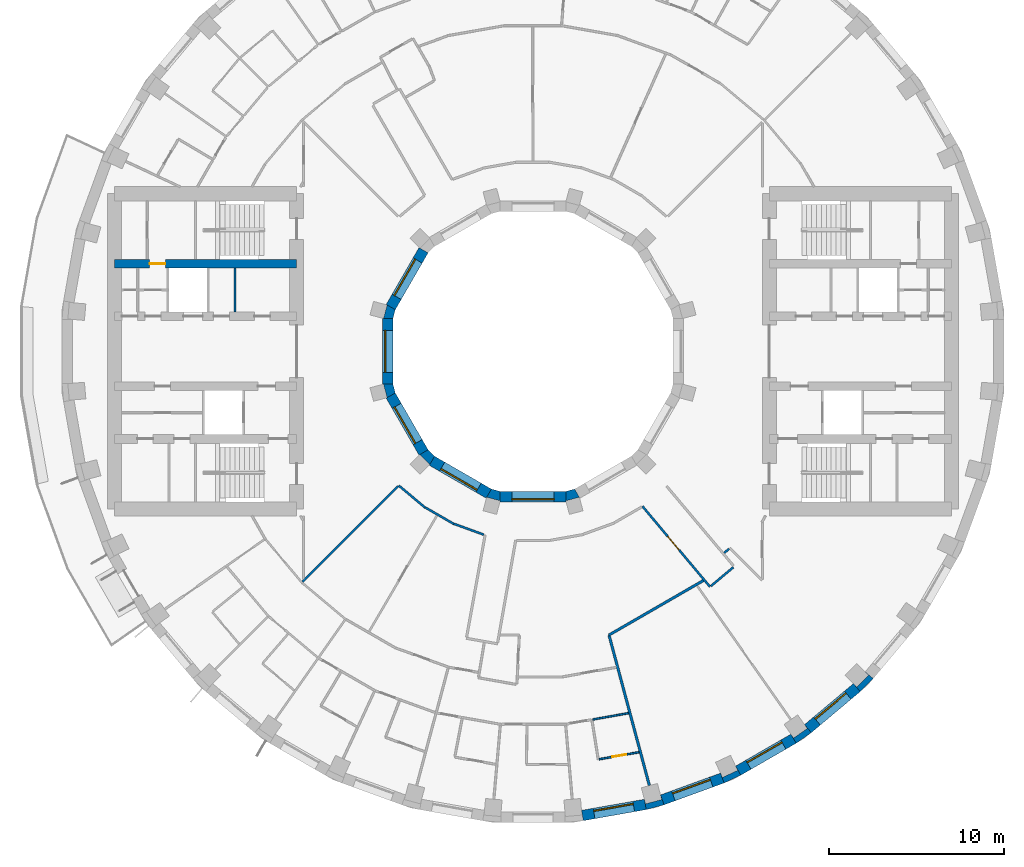
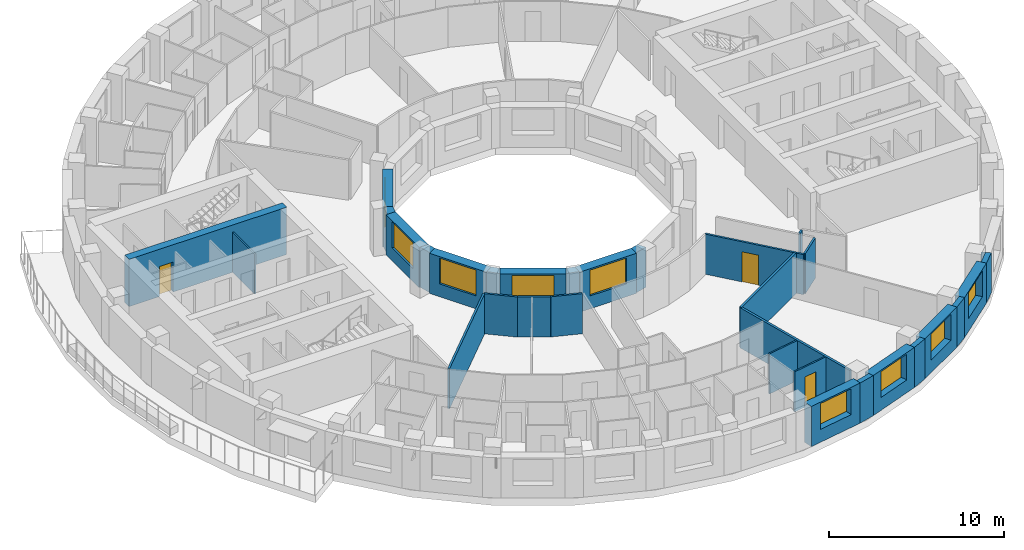
# One storey, part 5 of 13: 31 walls, 9 windows, 3 doors, 12 openings.
"""IFC4 building model written with IfcOpenShell, lengths in metres."""

from ifc_helpers import new_model, si_unit, direction, frame, frame_2d, origin, place, context, subcontext, project, spatial, polyline, rectangle, outline, extrude, material, layer, layer_set, type_object, element, fill, save


model = new_model("IFC4")

# Units and contexts
model_context = context("Model", 3, precision=1e-05, world=origin(), true_north=direction((0.0, 1.0)))
body_context = subcontext(model_context, "Body", "Model", "MODEL_VIEW")
ifc_project = project(units=[si_unit("LENGTHUNIT", "METRE"), si_unit("AREAUNIT", "SQUARE_METRE"), si_unit("VOLUMEUNIT", "CUBIC_METRE"), si_unit("PLANEANGLEUNIT", "RADIAN"), si_unit("MASSUNIT", "GRAM", prefix="KILO")], contexts=[model_context])

# Site, building, storey
site_placement = place(None, origin())
site = spatial("IfcSite", under=ifc_project, at=site_placement, CompositionType="ELEMENT")
building_placement = place(site_placement, origin())
building = spatial("IfcBuilding", under=site, at=building_placement, Name="Saqina Gate Tower", CompositionType="ELEMENT")
storey_placement = place(building_placement, frame((0.0, 0.0, 118.300048828125)))
storey = spatial("IfcBuildingStorey", under=building, at=storey_placement, Name="L33", CompositionType="ELEMENT", Elevation=118.300048828125)

# Walls
ifc_material_1 = material(Name="Brick masonry (buff)", Category="masonry")
wall_type_1 = type_object("IfcWallType", Name="BRICK PIER COPING BUFF", PredefinedType="SOLIDWALL", material=ifc_material_1)
wall_1_placement = place(storey_placement, origin())
element("IfcWall", 1, at=wall_1_placement, inside=storey, type_object=wall_type_1, Name="Pier cap L33 column 29", PredefinedType="SOLIDWALL", context=body_context, shape_type="SweptSolid", body=[
    extrude(outline(polyline([(6.466796875, -26.171875), (7.485595703125, -25.89892578125), (7.2802734375, -25.335205078125), (7.349853515625, -25.5947265625), (6.43212890625, -25.8408203125), (6.36279296875, -25.5810546875), (6.466796875, -26.171875)])), origin(), (0.0, 0.0, 1.0), 2.800048828125),
])
wall_2_placement = place(storey_placement, origin())
element("IfcWall", 2, at=wall_2_placement, inside=storey, type_object=wall_type_1, Name="Pier cap L33 column 30", PredefinedType="SOLIDWALL", context=body_context, shape_type="SweptSolid", body=[
    extrude(outline(polyline([(10.913330078125, -24.6513671875), (11.869140625, -24.205810546875), (11.569091796875, -23.68603515625), (11.6826171875, -23.9296875), (10.82177734375, -24.331298828125), (10.7080078125, -24.08740234375), (10.913330078125, -24.6513671875)])), origin(), (0.0, 0.0, 1.0), 2.800048828125),
])
wall_3_placement = place(storey_placement, origin())
element("IfcWall", 3, at=wall_3_placement, inside=storey, type_object=wall_type_1, Name="Pier cap L33 column 31", PredefinedType="SOLIDWALL", context=body_context, shape_type="SweptSolid", body=[
    extrude(outline(polyline([(15.89208984375, -21.77685546875), (15.50634765625, -21.317138671875), (15.66064453125, -21.53759765625), (14.88232421875, -22.08251953125), (14.728271484375, -21.862060546875), (15.0283203125, -22.3818359375), (15.89208984375, -21.77685546875)])), origin(), (0.0, 0.0, 1.0), 2.800048828125),
])
wall_4_placement = place(storey_placement, origin())
element("IfcWall", 4, at=wall_4_placement, inside=storey, type_object=wall_type_1, Name="Pier cap L33 column 32", PredefinedType="SOLIDWALL", context=body_context, shape_type="SweptSolid", body=[
    extrude(outline(polyline([(18.686279296875, -19.43212890625), (19.43212890625, -18.686279296875), (18.972412109375, -18.30078125), (19.16259765625, -18.49072265625), (18.49072265625, -19.16259765625), (18.30078125, -18.972412109375), (18.686279296875, -19.43212890625)])), origin(), (0.0, 0.0, 1.0), 2.800048828125),
])
ifc_material_2 = material(Name="Gypsum board on steel studs", Category="steel")
ifc_layer_1 = layer(ifc_material_2, 0.10009765625)
ifc_layer_set_1 = layer_set([ifc_layer_1], Name="CORE PARTITION")
wall_type_2 = type_object("IfcWallType", Name="CORE PARTITION", PredefinedType="PARTITIONING", material=ifc_layer_set_1)
wall_5_placement = place(storey_placement, frame((-17.022216796875, 2.25, 0.0), z_axis=(0.0, 0.0, 1.0), x_axis=(0.0, 1.0, 0.0)))
element("IfcWall", 5, at=wall_5_placement, inside=storey, type_object=wall_type_2, Name="L33-CP-W01", PredefinedType="PARTITIONING", context=body_context, shape_type="SweptSolid", body=[
    extrude(rectangle(XDim=2.5, YDim=0.10009765625, at=frame_2d((1.25, 0.0))), origin(), (0.0, 0.0, 1.0), 2.800048828125),
])

# Wall, opening, window
ifc_material_3 = material(Name="Brick masonry (buff)", Category="masonry")
ifc_layer_2 = layer(ifc_material_3, 0.60009765625)
ifc_layer_set_2 = layer_set([ifc_layer_2], Name="FW-BRICK-BUFF")
wall_type_3 = type_object("IfcWallType", Name="FW-BRICK-BUFF", PredefinedType="SOLIDWALL", material=ifc_layer_set_2)
wall_6_placement = place(storey_placement, frame((2.822265625, -26.510009765625, 0.0), z_axis=(0.0, 0.0, 1.0), x_axis=(0.984803764455, 0.173670796382, 0.0)))
wall_6 = element("IfcWall", 6, at=wall_6_placement, inside=storey, type_object=wall_type_3, Name="Facade wall L33 facet 28", PredefinedType="SOLIDWALL", context=body_context, shape_type="SweptSolid", body=[
    extrude(rectangle(XDim=3.64794921875, YDim=0.60009765625, at=frame_2d((1.823974609375, 0.0))), origin(), (0.0, 0.0, 1.0), 2.800048828125),
])
opening_1_placement = place(wall_6_placement, frame((0.673828125, 0.0, 0.89990234375)))
opening_1 = element("IfcOpeningElement", 7, at=opening_1_placement, cuts=wall_6, Name="Opening G09-W20", PredefinedType="OPENING", context=body_context, shape_type="SweptSolid", body=[
    extrude(rectangle(XDim=2.300048828125, YDim=1.800048828125, at=frame_2d((1.14990234375, 0.89990234375))), frame((0.0, 0.31201171875, 0.0), z_axis=(0.0, -1.0, 0.0), x_axis=(1.0, 0.0, 0.0)), (0.0, 0.0, 1.0), 0.6240234375),
])
ifc_material_4 = material(Name="Aluminium glazing", Category="aluminium")
window_type_1 = type_object("IfcWindowType", Name="WN-B", PartitioningType="SINGLE_PANEL", PredefinedType="WINDOW", material=ifc_material_4)
window_1_placement = place(opening_1_placement, origin())
window_1 = element("IfcWindow", 8, at=window_1_placement, inside=storey, type_object=window_type_1, Name="Window L33 facet 28", OverallHeight=1.800048828125, OverallWidth=2.300048828125, PartitioningType="SINGLE_PANEL", PredefinedType="WINDOW", context=body_context, shape_type="SweptSolid", body=[
    extrude(rectangle(XDim=2.300048828125, YDim=1.800048828125, at=frame_2d((1.14990234375, 0.89990234375))), frame((0.0, 0.179931640625, 0.0), z_axis=(0.0, -1.0, 0.0), x_axis=(1.0, 0.0, 0.0)), (0.0, 0.0, 1.0), 0.06005859375),
])
fill(opening_1, window_1)

wall_7_placement = place(storey_placement, frame((7.3828125, -25.616943359375, 0.0), z_axis=(0.0, 0.0, 1.0), x_axis=(0.939703505393, 0.341990236633, 0.0)))
wall_7 = element("IfcWall", 9, at=wall_7_placement, inside=storey, type_object=wall_type_3, Name="Facade wall L33 facet 29", PredefinedType="SOLIDWALL", context=body_context, shape_type="SweptSolid", body=[
    extrude(rectangle(XDim=3.64794921875, YDim=0.60009765625, at=frame_2d((1.823974609375, 0.0))), origin(), (0.0, 0.0, 1.0), 2.800048828125),
])
opening_2_placement = place(wall_7_placement, frame((0.673828125, 0.0, 0.89990234375)))
opening_2 = element("IfcOpeningElement", 10, at=opening_2_placement, cuts=wall_7, Name="Opening G09-W21", PredefinedType="OPENING", context=body_context, shape_type="SweptSolid", body=[
    extrude(rectangle(XDim=2.300048828125, YDim=1.800048828125, at=frame_2d((1.14990234375, 0.89990234375))), frame((0.0, 0.31201171875, 0.0), z_axis=(0.0, -1.0, 0.0), x_axis=(1.0, 0.0, 0.0)), (0.0, 0.0, 1.0), 0.6240234375),
])
window_2_placement = place(opening_2_placement, origin())
window_2 = element("IfcWindow", 11, at=window_2_placement, inside=storey, type_object=window_type_1, Name="Window L33 facet 29", OverallHeight=1.800048828125, OverallWidth=2.300048828125, PartitioningType="SINGLE_PANEL", PredefinedType="WINDOW", context=body_context, shape_type="SweptSolid", body=[
    extrude(rectangle(XDim=2.300048828125, YDim=1.800048828125, at=frame_2d((1.14990234375, 0.89990234375))), frame((0.0, 0.179931640625, 0.0), z_axis=(0.0, -1.0, 0.0), x_axis=(1.0, 0.0, 0.0)), (0.0, 0.0, 1.0), 0.06005859375),
])
fill(opening_2, window_2)

wall_8_placement = place(storey_placement, frame((11.718994140625, -23.94580078125, 0.0), z_axis=(0.0, 0.0, 1.0), x_axis=(0.866051847062, 0.499954196102, 0.0)))
wall_8 = element("IfcWall", 12, at=wall_8_placement, inside=storey, type_object=wall_type_3, Name="Facade wall L33 facet 30", PredefinedType="SOLIDWALL", context=body_context, shape_type="SweptSolid", body=[
    extrude(rectangle(XDim=3.647705078125, YDim=0.60009765625, at=frame_2d((1.82373046875, 0.0))), origin(), (0.0, 0.0, 1.0), 2.800048828125),
])
opening_3_placement = place(wall_8_placement, frame((0.673828125, 0.0, 0.89990234375)))
opening_3 = element("IfcOpeningElement", 13, at=opening_3_placement, cuts=wall_8, Name="Opening G09-W22", PredefinedType="OPENING", context=body_context, shape_type="SweptSolid", body=[
    extrude(rectangle(XDim=2.300048828125, YDim=1.800048828125, at=frame_2d((1.14990234375, 0.89990234375))), frame((0.0, 0.31201171875, 0.0), z_axis=(0.0, -1.0, 0.0), x_axis=(1.0, 0.0, 0.0)), (0.0, 0.0, 1.0), 0.6240234375),
])
window_3_placement = place(opening_3_placement, origin())
window_3 = element("IfcWindow", 14, at=window_3_placement, inside=storey, type_object=window_type_1, Name="Window L33 facet 30", OverallHeight=1.800048828125, OverallWidth=2.300048828125, PartitioningType="SINGLE_PANEL", PredefinedType="WINDOW", context=body_context, shape_type="SweptSolid", body=[
    extrude(rectangle(XDim=2.300048828125, YDim=1.800048828125, at=frame_2d((1.14990234375, 0.89990234375))), frame((0.0, 0.179931640625, 0.0), z_axis=(0.0, -1.0, 0.0), x_axis=(1.0, 0.0, 0.0)), (0.0, 0.0, 1.0), 0.06005859375),
])
fill(opening_3, window_3)

wall_9_placement = place(storey_placement, frame((15.69921875, -21.547119140625, 0.0), z_axis=(0.0, 0.0, 1.0), x_axis=(0.766055462616, 0.642774476932, 0.0)))
wall_9 = element("IfcWall", 15, at=wall_9_placement, inside=storey, type_object=wall_type_3, Name="Facade wall L33 facet 31", PredefinedType="SOLIDWALL", context=body_context, shape_type="SweptSolid", body=[
    extrude(rectangle(XDim=3.647705078125, YDim=0.60009765625, at=frame_2d((1.82373046875, 0.0))), origin(), (0.0, 0.0, 1.0), 2.800048828125),
])
opening_4_placement = place(wall_9_placement, frame((0.673828125, 0.0, 0.89990234375)))
opening_4 = element("IfcOpeningElement", 16, at=opening_4_placement, cuts=wall_9, Name="Opening G09-W23", PredefinedType="OPENING", context=body_context, shape_type="SweptSolid", body=[
    extrude(rectangle(XDim=2.300048828125, YDim=1.800048828125, at=frame_2d((1.14990234375, 0.89990234375))), frame((0.0, 0.31201171875, 0.0), z_axis=(0.0, -1.0, 0.0), x_axis=(1.0, 0.0, 0.0)), (0.0, 0.0, 1.0), 0.6240234375),
])
window_4_placement = place(opening_4_placement, origin())
window_4 = element("IfcWindow", 17, at=window_4_placement, inside=storey, type_object=window_type_1, Name="Window L33 facet 31", OverallHeight=1.800048828125, OverallWidth=2.300048828125, PartitioningType="SINGLE_PANEL", PredefinedType="WINDOW", context=body_context, shape_type="SweptSolid", body=[
    extrude(rectangle(XDim=2.300048828125, YDim=1.800048828125, at=frame_2d((1.14990234375, 0.89990234375))), frame((0.0, 0.179931640625, 0.0), z_axis=(0.0, -1.0, 0.0), x_axis=(1.0, 0.0, 0.0)), (0.0, 0.0, 1.0), 0.06005859375),
])
fill(opening_4, window_4)

ifc_material_5 = material(Name="Glazed ceramic tile", Category="ceramic")
ifc_layer_3 = layer(ifc_material_5, 0.60009765625)
ifc_layer_set_3 = layer_set([ifc_layer_3], Name="IW-TILE")
wall_type_4 = type_object("IfcWallType", Name="IW-TILE", PredefinedType="SOLIDWALL", material=ifc_layer_set_3)
wall_10_placement = place(storey_placement, frame((-6.251220703125, 5.772705078125, 0.0), z_axis=(0.0, 0.0, 1.0), x_axis=(-0.499964958637, -0.86604563398, 0.0)))
wall_10 = element("IfcWall", 18, at=wall_10_placement, inside=storey, type_object=wall_type_4, Name="Well wall L33 facet 5", PredefinedType="SOLIDWALL", context=body_context, shape_type="SweptSolid", body=[
    extrude(rectangle(XDim=3.747314453125, YDim=0.60009765625, at=frame_2d((1.87353515625, 0.0))), origin(), (0.0, 0.0, 1.0), 2.800048828125),
])
opening_5_placement = place(wall_10_placement, frame((0.673583984375, 0.0, 0.89990234375)))
opening_5 = element("IfcOpeningElement", 19, at=opening_5_placement, cuts=wall_10, Name="Opening G09-W30", PredefinedType="OPENING", context=body_context, shape_type="SweptSolid", body=[
    extrude(rectangle(XDim=2.39990234375, YDim=1.800048828125, at=frame_2d((1.199951171875, 0.89990234375))), frame((0.0, 0.31201171875, 0.0), z_axis=(0.0, -1.0, 0.0), x_axis=(1.0, 0.0, 0.0)), (0.0, 0.0, 1.0), 0.6240234375),
])
ifc_material_6 = material(Name="Aluminium glazing", Category="aluminium")
window_type_2 = type_object("IfcWindowType", Name="WN-W", PartitioningType="SINGLE_PANEL", PredefinedType="WINDOW", material=ifc_material_6)
window_5_placement = place(opening_5_placement, origin())
window_5 = element("IfcWindow", 20, at=window_5_placement, inside=storey, type_object=window_type_2, Name="Well window L33 facet 5", OverallHeight=1.800048828125, OverallWidth=2.39990234375, PartitioningType="SINGLE_PANEL", PredefinedType="WINDOW", context=body_context, shape_type="SweptSolid", body=[
    extrude(rectangle(XDim=2.39990234375, YDim=1.800048828125, at=frame_2d((1.199951171875, 0.89990234375))), frame((0.0, -0.119873046875, 0.0), z_axis=(0.0, -1.0, 0.0), x_axis=(1.0, 0.0, 0.0)), (0.0, 0.0, 1.0), 0.06005859375),
])
fill(opening_5, window_5)

wall_11_placement = place(storey_placement, frame((-8.300048828125, 1.873779296875, 0.0), z_axis=(0.0, 0.0, 1.0), x_axis=(0.0, -1.0, 0.0)))
wall_11 = element("IfcWall", 21, at=wall_11_placement, inside=storey, type_object=wall_type_4, Name="Well wall L33 facet 6", PredefinedType="SOLIDWALL", context=body_context, shape_type="SweptSolid", body=[
    extrude(rectangle(XDim=3.74755859375, YDim=0.60009765625, at=frame_2d((1.873779296875, 0.0))), origin(), (0.0, 0.0, 1.0), 2.800048828125),
])
opening_6_placement = place(wall_11_placement, frame((0.673583984375, 0.0, 0.89990234375)))
opening_6 = element("IfcOpeningElement", 22, at=opening_6_placement, cuts=wall_11, Name="Opening G09-W31", PredefinedType="OPENING", context=body_context, shape_type="SweptSolid", body=[
    extrude(rectangle(XDim=2.39990234375, YDim=1.800048828125, at=frame_2d((1.199951171875, 0.89990234375))), frame((0.0, 0.31201171875, 0.0), z_axis=(0.0, -1.0, 0.0), x_axis=(1.0, 0.0, 0.0)), (0.0, 0.0, 1.0), 0.6240234375),
])
window_6_placement = place(opening_6_placement, origin())
window_6 = element("IfcWindow", 23, at=window_6_placement, inside=storey, type_object=window_type_2, Name="Well window L33 facet 6", OverallHeight=1.800048828125, OverallWidth=2.39990234375, PartitioningType="SINGLE_PANEL", PredefinedType="WINDOW", context=body_context, shape_type="SweptSolid", body=[
    extrude(rectangle(XDim=2.39990234375, YDim=1.800048828125, at=frame_2d((1.199951171875, 0.89990234375))), frame((0.0, -0.119873046875, 0.0), z_axis=(0.0, -1.0, 0.0), x_axis=(1.0, 0.0, 0.0)), (0.0, 0.0, 1.0), 0.06005859375),
])
fill(opening_6, window_6)

wall_12_placement = place(storey_placement, frame((-8.124755859375, -2.52734375, 0.0), z_axis=(0.0, 0.0, 1.0), x_axis=(0.499964958637, -0.86604563398, 0.0)))
wall_12 = element("IfcWall", 24, at=wall_12_placement, inside=storey, type_object=wall_type_4, Name="Well wall L33 facet 7", PredefinedType="SOLIDWALL", context=body_context, shape_type="SweptSolid", body=[
    extrude(rectangle(XDim=3.747314453125, YDim=0.60009765625, at=frame_2d((1.87353515625, 0.0))), origin(), (0.0, 0.0, 1.0), 2.800048828125),
])
opening_7_placement = place(wall_12_placement, frame((0.673583984375, 0.0, 0.89990234375)))
opening_7 = element("IfcOpeningElement", 25, at=opening_7_placement, cuts=wall_12, Name="Opening G09-W32", PredefinedType="OPENING", context=body_context, shape_type="SweptSolid", body=[
    extrude(rectangle(XDim=2.39990234375, YDim=1.800048828125, at=frame_2d((1.199951171875, 0.89990234375))), frame((0.0, 0.31201171875, 0.0), z_axis=(0.0, -1.0, 0.0), x_axis=(1.0, 0.0, 0.0)), (0.0, 0.0, 1.0), 0.6240234375),
])
window_7_placement = place(opening_7_placement, origin())
window_7 = element("IfcWindow", 26, at=window_7_placement, inside=storey, type_object=window_type_2, Name="Well window L33 facet 7", OverallHeight=1.800048828125, OverallWidth=2.39990234375, PartitioningType="SINGLE_PANEL", PredefinedType="WINDOW", context=body_context, shape_type="SweptSolid", body=[
    extrude(rectangle(XDim=2.39990234375, YDim=1.800048828125, at=frame_2d((1.199951171875, 0.89990234375))), frame((0.0, -0.119873046875, 0.0), z_axis=(0.0, -1.0, 0.0), x_axis=(1.0, 0.0, 0.0)), (0.0, 0.0, 1.0), 0.06005859375),
])
fill(opening_7, window_7)

wall_13_placement = place(storey_placement, frame((-5.772705078125, -6.251220703125, 0.0), z_axis=(0.0, 0.0, 1.0), x_axis=(0.86604563398, -0.499964958637, 0.0)))
wall_13 = element("IfcWall", 27, at=wall_13_placement, inside=storey, type_object=wall_type_4, Name="Well wall L33 facet 8", PredefinedType="SOLIDWALL", context=body_context, shape_type="SweptSolid", body=[
    extrude(rectangle(XDim=3.747314453125, YDim=0.60009765625, at=frame_2d((1.87353515625, 0.0))), origin(), (0.0, 0.0, 1.0), 2.800048828125),
])
opening_8_placement = place(wall_13_placement, frame((0.673583984375, 0.0, 0.89990234375)))
opening_8 = element("IfcOpeningElement", 28, at=opening_8_placement, cuts=wall_13, Name="Opening G09-W33", PredefinedType="OPENING", context=body_context, shape_type="SweptSolid", body=[
    extrude(rectangle(XDim=2.39990234375, YDim=1.800048828125, at=frame_2d((1.199951171875, 0.89990234375))), frame((0.0, 0.31201171875, 0.0), z_axis=(0.0, -1.0, 0.0), x_axis=(1.0, 0.0, 0.0)), (0.0, 0.0, 1.0), 0.6240234375),
])
window_8_placement = place(opening_8_placement, origin())
window_8 = element("IfcWindow", 29, at=window_8_placement, inside=storey, type_object=window_type_2, Name="Well window L33 facet 8", OverallHeight=1.800048828125, OverallWidth=2.39990234375, PartitioningType="SINGLE_PANEL", PredefinedType="WINDOW", context=body_context, shape_type="SweptSolid", body=[
    extrude(rectangle(XDim=2.39990234375, YDim=1.800048828125, at=frame_2d((1.199951171875, 0.89990234375))), frame((0.0, -0.119873046875, 0.0), z_axis=(0.0, -1.0, 0.0), x_axis=(1.0, 0.0, 0.0)), (0.0, 0.0, 1.0), 0.06005859375),
])
fill(opening_8, window_8)

wall_14_placement = place(storey_placement, frame((-1.873779296875, -8.300048828125, 0.0), z_axis=(0.0, 0.0, 1.0), x_axis=(1.0, 0.0, 0.0)))
wall_14 = element("IfcWall", 30, at=wall_14_placement, inside=storey, type_object=wall_type_4, Name="Well wall L33 facet 9", PredefinedType="SOLIDWALL", context=body_context, shape_type="SweptSolid", body=[
    extrude(rectangle(XDim=3.74755859375, YDim=0.60009765625, at=frame_2d((1.873779296875, 0.0))), origin(), (0.0, 0.0, 1.0), 2.800048828125),
])
opening_9_placement = place(wall_14_placement, frame((0.673583984375, 0.0, 0.89990234375)))
opening_9 = element("IfcOpeningElement", 31, at=opening_9_placement, cuts=wall_14, Name="Opening G09-W34", PredefinedType="OPENING", context=body_context, shape_type="SweptSolid", body=[
    extrude(rectangle(XDim=2.39990234375, YDim=1.800048828125, at=frame_2d((1.199951171875, 0.89990234375))), frame((0.0, 0.31201171875, 0.0), z_axis=(0.0, -1.0, 0.0), x_axis=(1.0, 0.0, 0.0)), (0.0, 0.0, 1.0), 0.6240234375),
])
window_9_placement = place(opening_9_placement, origin())
window_9 = element("IfcWindow", 32, at=window_9_placement, inside=storey, type_object=window_type_2, Name="Well window L33 facet 9", OverallHeight=1.800048828125, OverallWidth=2.39990234375, PartitioningType="SINGLE_PANEL", PredefinedType="WINDOW", context=body_context, shape_type="SweptSolid", body=[
    extrude(rectangle(XDim=2.39990234375, YDim=1.800048828125, at=frame_2d((1.199951171875, 0.89990234375))), frame((0.0, -0.119873046875, 0.0), z_axis=(0.0, -1.0, 0.0), x_axis=(1.0, 0.0, 0.0)), (0.0, 0.0, 1.0), 0.06005859375),
])
fill(opening_9, window_9)

# Wall, opening, door
ifc_material_7 = material(Name="Gypsum board on steel studs, 100 mm", Category="steel")
ifc_layer_4 = layer(ifc_material_7, 0.10009765625)
ifc_layer_set_4 = layer_set([ifc_layer_4], Name="PARTITION 100")
wall_type_5 = type_object("IfcWallType", Name="PARTITION 100", PredefinedType="PARTITIONING", material=ifc_layer_set_4)
wall_15_placement = place(storey_placement, frame((3.774169921875, -23.29541015625, 0.0), z_axis=(0.0, 0.0, 1.0), x_axis=(0.984822762683, 0.173563032072, 0.0)))
wall_15 = element("IfcWall", 33, at=wall_15_placement, inside=storey, type_object=wall_type_5, Name="PARTITION PW3-58", PredefinedType="PARTITIONING", context=body_context, shape_type="SweptSolid", body=[
    extrude(rectangle(XDim=2.318115234375, YDim=0.10009765625, at=frame_2d((1.1591796875, 0.0))), origin(), (0.0, 0.0, 1.0), 2.800048828125),
])
opening_10_placement = place(wall_15_placement, frame((0.771484375, 0.0, 0.0)))
opening_10 = element("IfcOpeningElement", 34, at=opening_10_placement, cuts=wall_15, Name="Opening G09-D49", PredefinedType="OPENING", context=body_context, shape_type="SweptSolid", body=[
    extrude(rectangle(XDim=0.800048828125, YDim=2.10009765625, at=frame_2d((0.39990234375, 1.050048828125))), frame((0.0, 0.06201171875, 0.0), z_axis=(0.0, -1.0, 0.0), x_axis=(1.0, 0.0, 0.0)), (0.0, 0.0, 1.0), 0.1240234375),
])
ifc_material_8 = material(Name="Timber door leaf, 800 mm", Category="wood")
door_type_1 = type_object("IfcDoorType", Name="DOOR 800 TIMBER", OperationType="SINGLE_SWING_LEFT", PredefinedType="DOOR", material=ifc_material_8)
door_1_placement = place(opening_10_placement, frame((0.800048828125, 0.0, 0.0), z_axis=(0.0, 0.0, 1.0), x_axis=(-1.0, 0.0, 0.0)))
door_1 = element("IfcDoor", 35, at=door_1_placement, inside=storey, type_object=door_type_1, Name="DOOR G09-D49", OperationType="SINGLE_SWING_LEFT", OverallHeight=2.10009765625, OverallWidth=0.800048828125, PredefinedType="DOOR", context=body_context, shape_type="SweptSolid", body=[
    extrude(rectangle(XDim=0.800048828125, YDim=2.10009765625, at=frame_2d((0.39990234375, 1.050048828125))), frame((0.0, 0.02490234375, 0.0), z_axis=(0.0, -1.0, 0.0), x_axis=(1.0, 0.0, 0.0)), (0.0, 0.0, 1.0), 0.050048828125),
])
fill(opening_10, door_1)

# Wall
wall_16_placement = place(storey_placement, frame((3.4111328125, -21.0244140625, 0.0), z_axis=(0.0, 0.0, 1.0), x_axis=(0.984791830212, 0.173738456158, 0.0)))
element("IfcWall", 36, at=wall_16_placement, inside=storey, type_object=wall_type_5, Name="PARTITION PW3-59", PredefinedType="PARTITIONING", context=body_context, shape_type="SweptSolid", body=[
    extrude(rectangle(XDim=2.079833984375, YDim=0.10009765625, at=frame_2d((1.0400390625, 0.0))), origin(), (0.0, 0.0, 1.0), 2.800048828125),
])

# Wall, opening, door
ifc_material_9 = material(Name="Gypsum board on steel studs, 125 mm, fire rated", Category="steel")
ifc_layer_5 = layer(ifc_material_9, 0.125)
ifc_layer_set_5 = layer_set([ifc_layer_5], Name="PARTITION EI 30 125")
wall_type_6 = type_object("IfcWallType", Name="PARTITION EI 30 125", PredefinedType="PARTITIONING", material=ifc_layer_set_5)
wall_17_placement = place(storey_placement, frame((6.2529296875, -8.85205078125, 0.0), z_axis=(0.0, 0.0, 1.0), x_axis=(0.642738639283, -0.766085531499, 0.0)))
wall_17 = element("IfcWall", 37, at=wall_17_placement, inside=storey, type_object=wall_type_6, Name="PARTITION PW1-04", PredefinedType="PARTITIONING", context=body_context, shape_type="SweptSolid", body=[
    extrude(rectangle(XDim=5.999267578125, YDim=0.125, at=frame_2d((2.99951171875, 0.0))), origin(), (0.0, 0.0, 1.0), 2.800048828125),
])
opening_11_placement = place(wall_17_placement, frame((2.244384765625, 0.0, 0.0)))
opening_11 = element("IfcOpeningElement", 38, at=opening_11_placement, cuts=wall_17, Name="Opening G09-D51", PredefinedType="OPENING", context=body_context, shape_type="SweptSolid", body=[
    extrude(rectangle(XDim=1.0, YDim=2.10009765625, at=frame_2d((0.5, 1.050048828125))), frame((0.0, 0.074462890625, 0.0), z_axis=(0.0, -1.0, 0.0), x_axis=(1.0, 0.0, 0.0)), (0.0, 0.0, 1.0), 0.14892578125),
])
ifc_material_10 = material(Name="Fire door leaf EI 30, 1000 mm")
door_type_2 = type_object("IfcDoorType", Name="DOOR 1000 EI 30", OperationType="SINGLE_SWING_LEFT", PredefinedType="DOOR", material=ifc_material_10)
door_2_placement = place(opening_11_placement, frame((1.0, 0.0, 0.0), z_axis=(0.0, 0.0, 1.0), x_axis=(-1.0, 0.0, 0.0)))
door_2 = element("IfcDoor", 39, at=door_2_placement, inside=storey, type_object=door_type_2, Name="DOOR G09-D51", OperationType="SINGLE_SWING_RIGHT", OverallHeight=2.10009765625, OverallWidth=1.0, PredefinedType="DOOR", context=body_context, shape_type="SweptSolid", body=[
    extrude(rectangle(XDim=1.0, YDim=2.10009765625, at=frame_2d((0.5, 1.050048828125))), frame((0.0, 0.02490234375, 0.0), z_axis=(0.0, -1.0, 0.0), x_axis=(1.0, 0.0, 0.0)), (0.0, 0.0, 1.0), 0.050048828125),
])
fill(opening_11, door_2)

# Walls
wall_18_placement = place(storey_placement, frame((-7.6650390625, -7.6640625, 0.0), z_axis=(0.0, 0.0, 1.0), x_axis=(0.766086332365, -0.642737684723, 0.0)))
element("IfcWall", 40, at=wall_18_placement, inside=storey, type_object=wall_type_6, Name="PARTITION PW1-09", PredefinedType="PARTITIONING", context=body_context, shape_type="SweptSolid", body=[
    extrude(rectangle(XDim=1.95361328125, YDim=0.125, at=frame_2d((0.976806640625, 0.0))), origin(), (0.0, 0.0, 1.0), 2.800048828125),
])
wall_19_placement = place(storey_placement, frame((-6.162841796875, -8.91015625, 0.0), z_axis=(0.0, 0.0, 1.0), x_axis=(0.865856369022, -0.500292662572, 0.0)))
element("IfcWall", 41, at=wall_19_placement, inside=storey, type_object=wall_type_6, Name="PARTITION PW1-12", PredefinedType="PARTITIONING", context=body_context, shape_type="SweptSolid", body=[
    extrude(rectangle(XDim=1.889892578125, YDim=0.125, at=frame_2d((0.94482421875, 0.0))), origin(), (0.0, 0.0, 1.0), 2.800048828125),
])
wall_20_placement = place(storey_placement, frame((-4.523193359375, -9.847412109375, 0.0), z_axis=(0.0, 0.0, 1.0), x_axis=(0.939758316357, -0.341839592261, 0.0)))
element("IfcWall", 42, at=wall_20_placement, inside=storey, type_object=wall_type_6, Name="PARTITION PW1-16", PredefinedType="PARTITIONING", context=body_context, shape_type="SweptSolid", body=[
    extrude(rectangle(XDim=1.82763671875, YDim=0.125, at=frame_2d((0.913818359375, 0.0))), origin(), (0.0, 0.0, 1.0), 2.800048828125),
])
wall_21_placement = place(storey_placement, frame((10.156982421875, -13.40771484375, 0.0), z_axis=(0.0, 0.0, 1.0), x_axis=(0.766066523004, 0.642761294986, 0.0)))
element("IfcWall", 43, at=wall_21_placement, inside=storey, type_object=wall_type_6, Name="PARTITION PW1-38", PredefinedType="PARTITIONING", context=body_context, shape_type="SweptSolid", body=[
    extrude(rectangle(XDim=1.675048828125, YDim=0.125, at=frame_2d((0.83740234375, 0.0))), origin(), (0.0, 0.0, 1.0), 2.800048828125),
])
wall_22_placement = place(storey_placement, frame((10.91748046875, -11.513671875, 0.0), z_axis=(0.0, 0.0, 1.0), x_axis=(0.765718201941, 0.643176208527, 0.0)))
element("IfcWall", 44, at=wall_22_placement, inside=storey, type_object=wall_type_6, Name="PARTITION PW1-39", PredefinedType="PARTITIONING", context=body_context, shape_type="SweptSolid", body=[
    extrude(rectangle(XDim=0.360595703125, YDim=0.125, at=frame_2d((0.18017578125, 0.0))), origin(), (0.0, 0.0, 1.0), 2.800048828125),
])
wall_23_placement = place(storey_placement, frame((-13.1669921875, -13.166015625, 0.0), z_axis=(0.0, 0.0, 1.0), x_axis=(0.707391477554, 0.706821970148, 0.0)))
element("IfcWall", 45, at=wall_23_placement, inside=storey, type_object=wall_type_6, Name="PARTITION PW1-42", PredefinedType="PARTITIONING", context=body_context, shape_type="SweptSolid", body=[
    extrude(rectangle(XDim=7.71630859375, YDim=0.125, at=frame_2d((3.858154296875, 0.0))), origin(), (0.0, 0.0, 1.0), 2.800048828125),
])
ifc_material_11 = material(Name="Gypsum board on steel studs, 150 mm, fire rated", Category="steel")
ifc_layer_6 = layer(ifc_material_11, 0.14990234375)
ifc_layer_set_6 = layer_set([ifc_layer_6], Name="PARTITION EI 60 150")
wall_type_7 = type_object("IfcWallType", Name="PARTITION EI 60 150", PredefinedType="PARTITIONING", material=ifc_layer_set_6)
wall_24_placement = place(storey_placement, frame((4.34033203125, -16.2041015625, 0.0), z_axis=(0.0, 0.0, 1.0), x_axis=(0.259146062247, -0.965838142973, 0.0)))
element("IfcWall", 46, at=wall_24_placement, inside=storey, type_object=wall_type_7, Name="PARTITION PW2-01", PredefinedType="PARTITIONING", context=body_context, shape_type="SweptSolid", body=[
    extrude(rectangle(XDim=8.8896484375, YDim=0.14990234375, at=frame_2d((4.44482421875, 0.0))), origin(), (0.0, 0.0, 1.0), 2.800048828125),
])
wall_25_placement = place(storey_placement, frame((4.328125, -16.20751953125, 0.0), z_axis=(0.0, 0.0, 1.0), x_axis=(0.865952126022, 0.500126899334, 0.0)))
element("IfcWall", 47, at=wall_25_placement, inside=storey, type_object=wall_type_7, Name="PARTITION PW2-02", PredefinedType="PARTITIONING", context=body_context, shape_type="SweptSolid", body=[
    extrude(rectangle(XDim=6.2353515625, YDim=0.14990234375, at=frame_2d((3.11767578125, 0.0))), origin(), (0.0, 0.0, 1.0), 2.800048828125),
])

# Wall, opening, door
ifc_material_12 = material(Name="Concrete C70/85", Category="concrete")
ifc_layer_7 = layer(ifc_material_12, 0.5)
ifc_layer_set_7 = layer_set([ifc_layer_7], Name="Concrete C70/85")
wall_type_8 = type_object("IfcWallType", Name="STR-CORE WALL-B-I", PredefinedType="SHEAR", material=ifc_layer_set_7)
wall_26_placement = place(storey_placement, frame((-13.5, 5.0, 0.0), z_axis=(0.0, 0.0, 1.0), x_axis=(-1.0, 0.0, 0.0)))
wall_26 = element("IfcWall", 48, at=wall_26_placement, inside=storey, type_object=wall_type_8, Name="CORE WALL L33 W-X1", PredefinedType="SHEAR", context=body_context, shape_type="SweptSolid", body=[
    extrude(rectangle(XDim=10.39990234375, YDim=0.5, at=frame_2d((5.199951171875, 0.0))), origin(), (0.0, 0.0, 1.0), 3.300048828125),
])
opening_12_placement = place(wall_26_placement, frame((7.488525390625, 0.0, 0.0)))
opening_12 = element("IfcOpeningElement", 49, at=opening_12_placement, cuts=wall_26, Name="Opening G09-D116", PredefinedType="OPENING", context=body_context, shape_type="SweptSolid", body=[
    extrude(rectangle(XDim=0.89990234375, YDim=2.10009765625, at=frame_2d((0.449951171875, 1.050048828125))), frame((0.0, 0.261962890625, 0.0), z_axis=(0.0, -1.0, 0.0), x_axis=(1.0, 0.0, 0.0)), (0.0, 0.0, 1.0), 0.52392578125),
])
ifc_material_13 = material(Name="Steel-framed fire door leaf, EI 60", Category="steel")
door_type_3 = type_object("IfcDoorType", Name="SERVICE ROOM DOOR 900", OperationType="SINGLE_SWING_LEFT", PredefinedType="DOOR", material=ifc_material_13)
door_3_placement = place(opening_12_placement, frame((0.89990234375, 0.0, 0.0), z_axis=(0.0, 0.0, 1.0), x_axis=(-1.0, 0.0, 0.0)))
door_3 = element("IfcDoor", 50, at=door_3_placement, inside=storey, type_object=door_type_3, Name="L33-CD-W27", OperationType="SINGLE_SWING_LEFT", OverallHeight=2.10009765625, OverallWidth=0.89990234375, PredefinedType="DOOR", context=body_context, shape_type="SweptSolid", body=[
    extrude(rectangle(XDim=0.89990234375, YDim=2.10009765625, at=frame_2d((0.449951171875, 1.050048828125))), frame((0.0, 0.02490234375, 0.0), z_axis=(0.0, -1.0, 0.0), x_axis=(1.0, 0.0, 0.0)), (0.0, 0.0, 1.0), 0.050048828125),
])
fill(opening_12, door_3)

# Walls
ifc_material_14 = material(Name="Glazed ceramic tile", Category="ceramic")
wall_type_9 = type_object("IfcWallType", Name="TILE PIER COPING", PredefinedType="SOLIDWALL", material=ifc_material_14)
wall_27_placement = place(storey_placement, origin())
element("IfcWall", 51, at=wall_27_placement, inside=storey, type_object=wall_type_9, Name="Well pier cap L33 column 6", PredefinedType="SOLIDWALL", context=body_context, shape_type="SweptSolid", body=[
    extrude(outline(polyline([(-8.5380859375, 1.873779296875), (-8.0, 1.873779296875), (-7.864990234375, 2.377197265625), (-8.3310546875, 2.646484375), (-8.5380859375, 1.873779296875)])), origin(), (0.0, 0.0, 1.0), 2.800048828125),
])
wall_28_placement = place(storey_placement, origin())
element("IfcWall", 52, at=wall_28_placement, inside=storey, type_object=wall_type_9, Name="Well pier cap L33 column 7", PredefinedType="SOLIDWALL", context=body_context, shape_type="SweptSolid", body=[
    extrude(outline(polyline([(-8.3310546875, -2.646484375), (-7.864990234375, -2.377197265625), (-8.0, -1.873779296875), (-8.5380859375, -1.873779296875), (-8.3310546875, -2.646484375)])), origin(), (0.0, 0.0, 1.0), 2.800048828125),
])
wall_29_placement = place(storey_placement, origin())
element("IfcWall", 53, at=wall_29_placement, inside=storey, type_object=wall_type_9, Name="Well pier cap L33 column 8", PredefinedType="SOLIDWALL", context=body_context, shape_type="SweptSolid", body=[
    extrude(outline(polyline([(-6.45751953125, -5.891845703125), (-5.891845703125, -6.45751953125), (-5.622802734375, -5.991455078125), (-5.991455078125, -5.622802734375), (-6.45751953125, -5.891845703125)])), origin(), (0.0, 0.0, 1.0), 2.800048828125),
])
wall_30_placement = place(storey_placement, origin())
element("IfcWall", 54, at=wall_30_placement, inside=storey, type_object=wall_type_9, Name="Well pier cap L33 column 9", PredefinedType="SOLIDWALL", context=body_context, shape_type="SweptSolid", body=[
    extrude(outline(polyline([(-1.873779296875, -8.5380859375), (-1.873779296875, -8.0), (-2.377197265625, -7.864990234375), (-2.646484375, -8.3310546875), (-1.873779296875, -8.5380859375)])), origin(), (0.0, 0.0, 1.0), 2.800048828125),
])
wall_31_placement = place(storey_placement, origin())
element("IfcWall", 55, at=wall_31_placement, inside=storey, type_object=wall_type_9, Name="Well pier cap L33 column 10", PredefinedType="SOLIDWALL", context=body_context, shape_type="SweptSolid", body=[
    extrude(outline(polyline([(2.646484375, -8.3310546875), (2.377197265625, -7.864990234375), (1.873779296875, -8.0), (1.873779296875, -8.5380859375), (2.646484375, -8.3310546875)])), origin(), (0.0, 0.0, 1.0), 2.800048828125),
])

save(model, "model.ifc")
